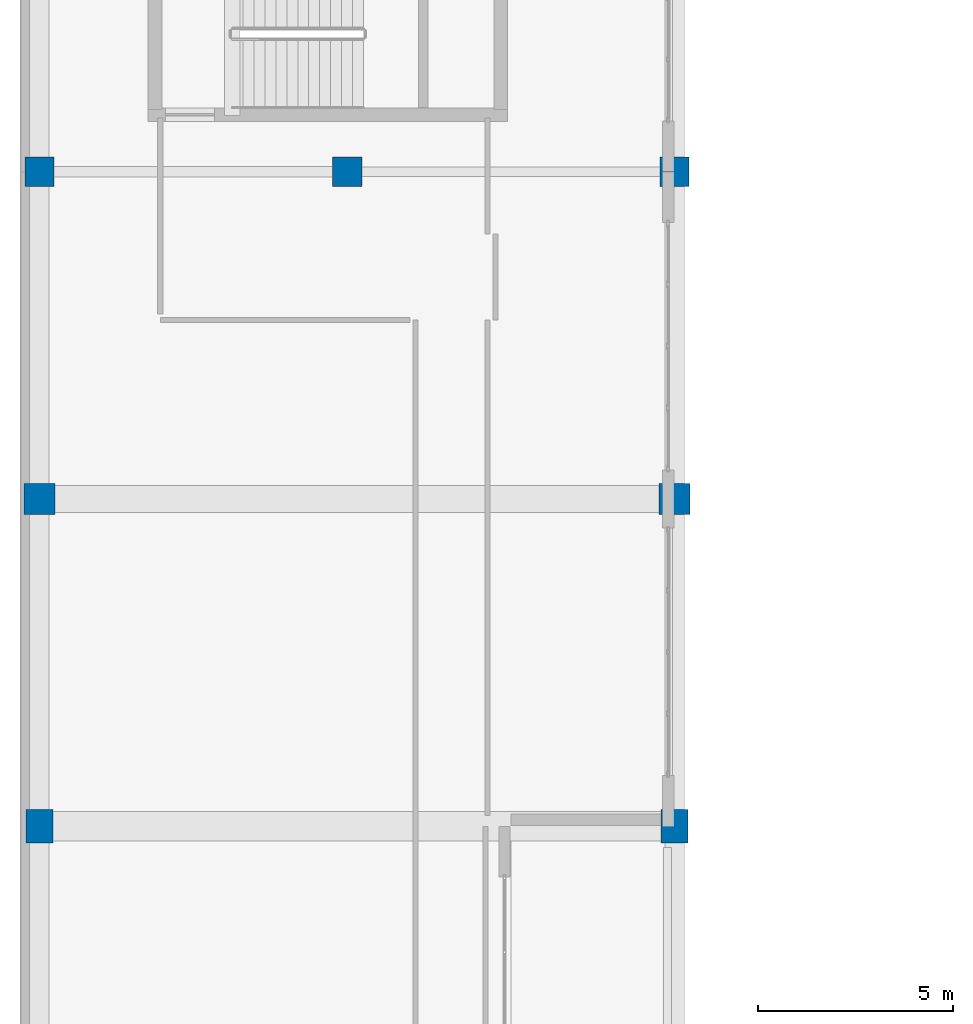
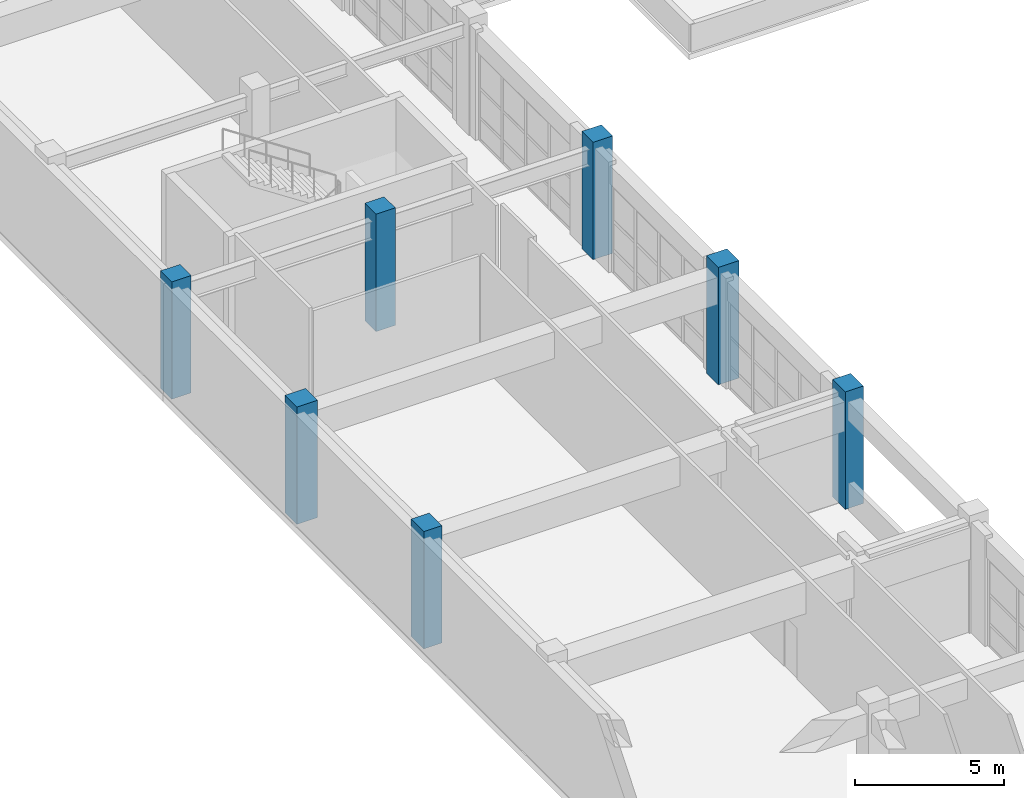
# One storey, part 3 of 123: 7 columns.
"""IFC4 building model written with IfcOpenShell, lengths in metres."""

from ifc_helpers import new_model, si_unit, direction, frame, origin, origin_2d, place, context, subcontext, project, spatial, rectangle, extrude, material, material_profile, profile_set, type_object, element, save


model = new_model("IFC4")

# Units and contexts
model_context = context("Model", 3, precision=1e-05, world=origin(), true_north=direction((0.0, 1.0)))
body_context = subcontext(model_context, "Body", "Model", "MODEL_VIEW")
ifc_project = project(units=[si_unit("LENGTHUNIT", "METRE"), si_unit("AREAUNIT", "SQUARE_METRE"), si_unit("VOLUMEUNIT", "CUBIC_METRE"), si_unit("PLANEANGLEUNIT", "RADIAN"), si_unit("MASSUNIT", "GRAM", prefix="KILO")], contexts=[model_context])

# Site, building, storey
site_placement = place(None, origin())
site = spatial("IfcSite", under=ifc_project, at=site_placement, CompositionType="ELEMENT")
building_placement = place(site_placement, origin())
building = spatial("IfcBuilding", under=site, at=building_placement, Name="Quendrovan Civic Courthouse", CompositionType="ELEMENT")
storey_placement = place(building_placement, frame((0.0, 0.0, 5.39990234375)))
storey = spatial("IfcBuildingStorey", under=building, at=storey_placement, Name="L02", CompositionType="ELEMENT", Elevation=5.39990234375)

# Columns
ifc_material_1 = material(Name="Concrete C40/50", Category="concrete")
ifc_material_profile_1 = material_profile(ifc_material_1, rectangle(XDim=0.699951171875, YDim=0.85009765625, at=origin_2d()), Name="RC-COL-700x850")
ifc_profile_set_1 = profile_set([ifc_material_profile_1], Name="Concrete C40/50")
column_type_1 = type_object("IfcColumnType", Name="COL-RC-700x850", PredefinedType="COLUMN", material=ifc_profile_set_1)
for number, where, z_axis, x_axis, name in (
    (1, (0.5, 39.60009765625, 0.0), (0.0, 0.0, 1.0), (1.0, 0.0, 0.0), "L02 Column 1-F"),
    (2, (16.800048828125, 39.60009765625, 0.0), (0.0, 0.0, 1.0), (1.0, 0.0, 0.0), "L02 Column 3-F"),
):
    element("IfcColumn", number, at=place(storey_placement, frame(where, z_axis=z_axis, x_axis=x_axis)), inside=storey, type_object=column_type_1, Name=name, PredefinedType="COLUMN", context=body_context, shape_type="SweptSolid", body=[
        extrude(rectangle(XDim=0.699951171875, YDim=0.85009765625, at=origin_2d()), origin(), (0.0, 0.0, 1.0), 4.800048828125),
    ])
ifc_material_2 = material(Name="Concrete C45/55", Category="concrete")
ifc_material_profile_2 = material_profile(ifc_material_2, rectangle(XDim=0.75, YDim=0.75, at=origin_2d()), Name="RC-COL-750x750")
ifc_profile_set_2 = profile_set([ifc_material_profile_2], Name="Concrete C45/55")
column_type_2 = type_object("IfcColumnType", Name="COL-RC750", PredefinedType="COLUMN", material=ifc_profile_set_2)
for number, where, z_axis, x_axis, name in (
    (3, (0.5, 56.39990234375, 0.0), (0.0, 0.0, 1.0), (1.0, 0.0, 0.0), "L02 Column 1-H"),
    (4, (8.39990234375, 56.39990234375, 0.0), (0.0, 0.0, 1.0), (1.0, 0.0, 0.0), "L02 Column 2-H"),
    (5, (16.800048828125, 56.39990234375, 0.0), (0.0, 0.0, 1.0), (1.0, 0.0, 0.0), "L02 Column 3-H"),
):
    element("IfcColumn", number, at=place(storey_placement, frame(where, z_axis=z_axis, x_axis=x_axis)), inside=storey, type_object=column_type_2, Name=name, PredefinedType="COLUMN", context=body_context, shape_type="SweptSolid", body=[
        extrude(rectangle(XDim=0.75, YDim=0.75, at=origin_2d()), origin(), (0.0, 0.0, 1.0), 4.800048828125),
    ])
ifc_material_profile_3 = material_profile(ifc_material_2, rectangle(XDim=0.800048828125, YDim=0.800048828125, at=origin_2d()), Name="RC-COL-800x800")
ifc_profile_set_3 = profile_set([ifc_material_profile_3], Name="Concrete C45/55")
column_type_3 = type_object("IfcColumnType", Name="COL-RC800", PredefinedType="COLUMN", material=ifc_profile_set_3)
for number, where, z_axis, x_axis, name in (
    (6, (0.5, 48.0, 0.0), (0.0, 0.0, 1.0), (1.0, 0.0, 0.0), "L02 Column 1-G"),
    (7, (16.800048828125, 48.0, 0.0), (0.0, 0.0, 1.0), (1.0, 0.0, 0.0), "L02 Column 3-G"),
):
    element("IfcColumn", number, at=place(storey_placement, frame(where, z_axis=z_axis, x_axis=x_axis)), inside=storey, type_object=column_type_3, Name=name, PredefinedType="COLUMN", context=body_context, shape_type="SweptSolid", body=[
        extrude(rectangle(XDim=0.800048828125, YDim=0.800048828125, at=origin_2d()), origin(), (0.0, 0.0, 1.0), 4.800048828125),
    ])

save(model, "model.ifc")
